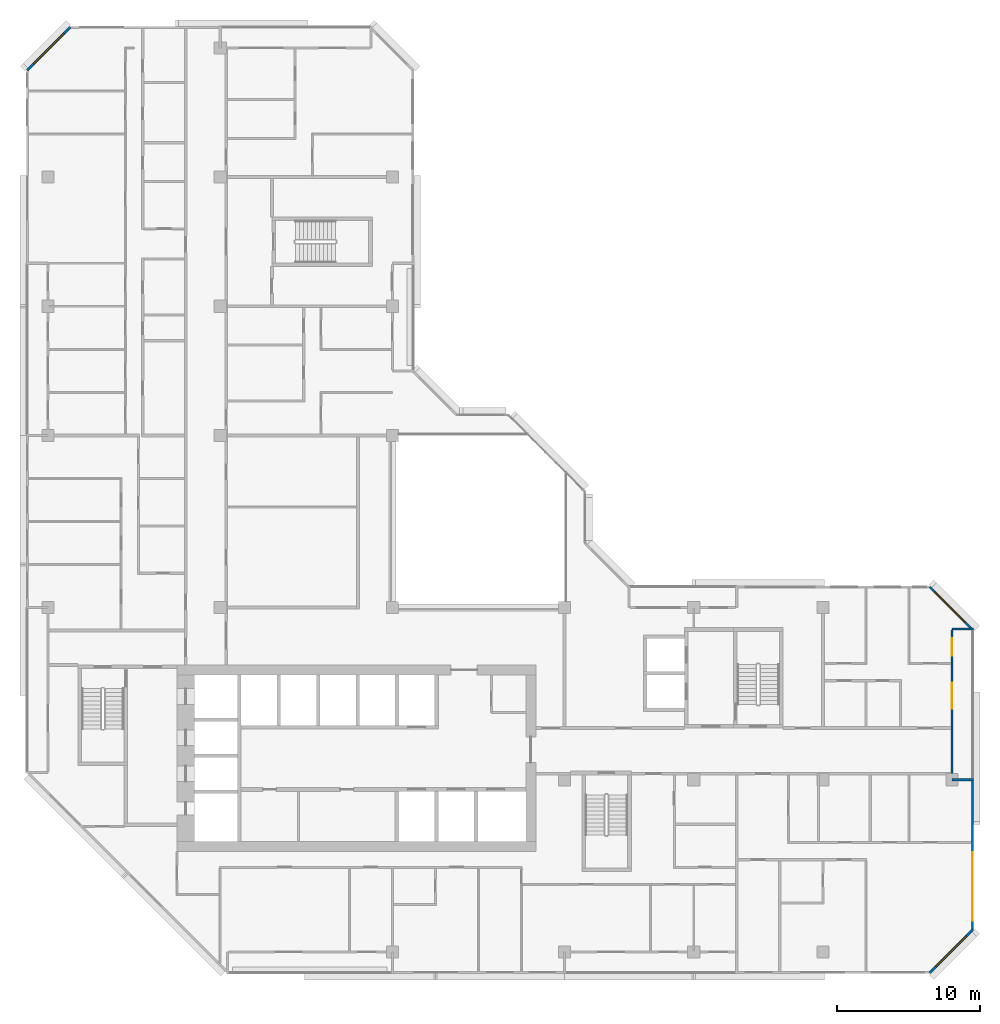
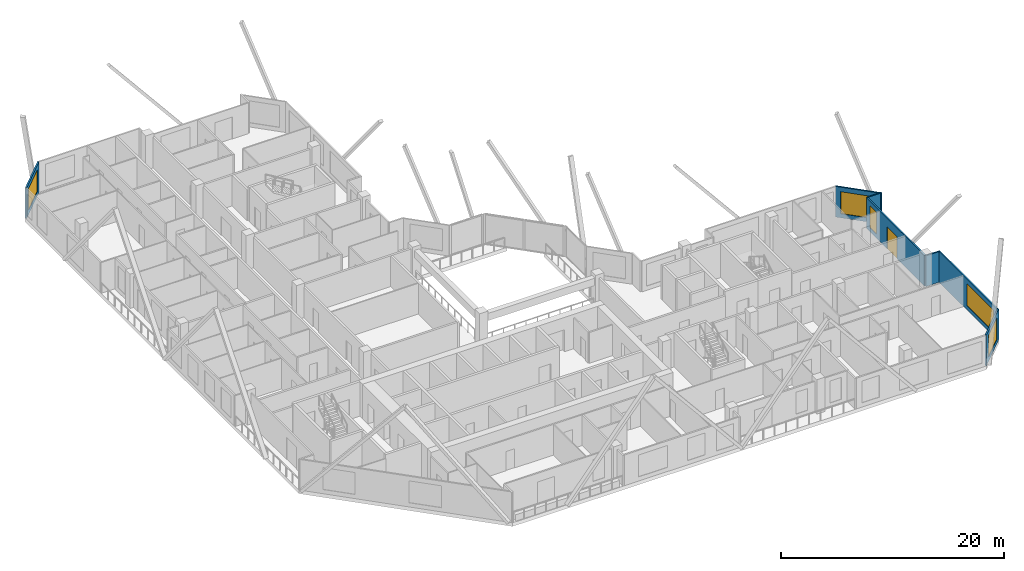
# One storey, part 12 of 15: 7 walls, 5 windows, 1 door, 6 openings.
"""IFC4 building model written with IfcOpenShell, lengths in metres."""

from ifc_helpers import new_model, si_unit, direction, frame, frame_2d, origin, place, context, subcontext, project, spatial, rectangle, extrude, material, layer, layer_set, type_object, element, fill, save


model = new_model("IFC4")

# Units and contexts
model_context = context("Model", 3, precision=1e-05, world=origin(), true_north=direction((0.0, 1.0)))
body_context = subcontext(model_context, "Body", "Model", "MODEL_VIEW")
ifc_project = project(units=[si_unit("LENGTHUNIT", "METRE"), si_unit("AREAUNIT", "SQUARE_METRE"), si_unit("VOLUMEUNIT", "CUBIC_METRE"), si_unit("PLANEANGLEUNIT", "RADIAN"), si_unit("MASSUNIT", "GRAM", prefix="KILO")], contexts=[model_context])

# Site, building, storey
site_placement = place(None, origin())
site = spatial("IfcSite", under=ifc_project, at=site_placement, CompositionType="ELEMENT")
building_placement = place(site_placement, origin())
building = spatial("IfcBuilding", under=site, at=building_placement, Name="Chenar Terraces", CompositionType="ELEMENT")
storey_placement = place(building_placement, frame((0.0, 0.0, 245.39990234375)))
storey = spatial("IfcBuildingStorey", under=building, at=storey_placement, Name="L58", CompositionType="ELEMENT", Elevation=245.39990234375)

# Wall, opening, window
ifc_material_1 = material(Name="Aluminium framed glazing", Category="aluminium")
ifc_layer_1 = layer(ifc_material_1, 0.14990234375)
ifc_layer_set_1 = layer_set([ifc_layer_1], Name="Aluminium framed glazing")
wall_type_1 = type_object("IfcWallType", Name="Glazed flush facade wall 150", PredefinedType="SOLIDWALL", material=ifc_layer_set_1)
wall_1_placement = place(storey_placement, frame((64.425048828125, 1.5, 0.0), z_axis=(0.0, 0.0, 1.0), x_axis=(0.0, 1.0, 0.0)))
wall_1 = element("IfcWall", 1, at=wall_1_placement, inside=storey, type_object=wall_type_1, Name="Glazed flush facade wall", PredefinedType="SOLIDWALL", context=body_context, shape_type="SweptSolid", body=[
    extrude(rectangle(XDim=10.425048828125, YDim=0.14990234375, at=frame_2d((5.21240234375, 0.0))), origin(), (0.0, 0.0, 1.0), 3.35009765625),
])
opening_1_placement = place(wall_1_placement, frame((0.66259765625, 0.0, 0.449951171875)))
opening_1 = element("IfcOpeningElement", 2, at=opening_1_placement, cuts=wall_1, Name="Opening W480x240", PredefinedType="OPENING", context=body_context, shape_type="SweptSolid", body=[
    extrude(rectangle(XDim=4.800048828125, YDim=2.39990234375, at=frame_2d((2.39990234375, 1.199951171875))), frame((0.0, 0.0849609375, 0.0), z_axis=(0.0, -1.0, 0.0), x_axis=(1.0, 0.0, 0.0)), (0.0, 0.0, 1.0), 0.169921875),
])
ifc_material_2 = material(Name="Low emissivity double glazing, aluminium frame", Category="aluminium")
window_type_1 = type_object("IfcWindowType", Name="Fixed light 4800 x 2400", PartitioningType="SINGLE_PANEL", PredefinedType="WINDOW", material=ifc_material_2)
window_1_placement = place(opening_1_placement, origin())
window_1 = element("IfcWindow", 3, at=window_1_placement, inside=storey, type_object=window_type_1, Name="Window", OverallHeight=2.39990234375, OverallWidth=4.800048828125, PartitioningType="SINGLE_PANEL", PredefinedType="WINDOW", context=body_context, shape_type="SweptSolid", body=[
    extrude(rectangle(XDim=4.800048828125, YDim=2.39990234375, at=frame_2d((2.39990234375, 1.199951171875))), frame((0.0, 0.030029296875, 0.0), z_axis=(0.0, -1.0, 0.0), x_axis=(1.0, 0.0, 0.0)), (0.0, 0.0, 1.0), 0.06005859375),
])
fill(opening_1, window_1)

# Wall, openings, window, door
ifc_material_3 = material(Name="Aluminium framed glazing", Category="aluminium")
ifc_layer_2 = layer(ifc_material_3, 0.14990234375)
ifc_layer_set_2 = layer_set([ifc_layer_2], Name="Aluminium framed glazing")
wall_type_2 = type_object("IfcWallType", Name="Glazed loggia back wall 150", PredefinedType="SOLIDWALL", material=ifc_layer_set_2)
wall_2_placement = place(storey_placement, frame((63.0, 12.074951171875, 0.0), z_axis=(0.0, 0.0, 1.0), x_axis=(0.0, 1.0, 0.0)))
wall_2 = element("IfcWall", 4, at=wall_2_placement, inside=storey, type_object=wall_type_2, Name="Glazed loggia back wall", PredefinedType="SOLIDWALL", context=body_context, shape_type="SweptSolid", body=[
    extrude(rectangle(XDim=10.35009765625, YDim=0.14990234375, at=frame_2d((5.175048828125, 0.0))), origin(), (0.0, 0.0, 1.0), 3.35009765625),
])
opening_2_placement = place(wall_2_placement, frame((4.875, 0.0, 0.0)))
opening_2 = element("IfcOpeningElement", 5, at=opening_2_placement, cuts=wall_2, Name="Opening DL58-G7", PredefinedType="OPENING", context=body_context, shape_type="SweptSolid", body=[
    extrude(rectangle(XDim=1.800048828125, YDim=2.39990234375, at=frame_2d((0.89990234375, 1.199951171875))), frame((0.0, 0.0849609375, 0.0), z_axis=(0.0, -1.0, 0.0), x_axis=(1.0, 0.0, 0.0)), (0.0, 0.0, 1.0), 0.169921875),
])
opening_3_placement = place(wall_2_placement, frame((8.58740234375, 0.0, 0.449951171875)))
opening_3 = element("IfcOpeningElement", 6, at=opening_3_placement, cuts=wall_2, Name="Opening W120x240", PredefinedType="OPENING", context=body_context, shape_type="SweptSolid", body=[
    extrude(rectangle(XDim=1.199951171875, YDim=2.39990234375, at=frame_2d((0.60009765625, 1.199951171875))), frame((0.0, 0.0849609375, 0.0), z_axis=(0.0, -1.0, 0.0), x_axis=(1.0, 0.0, 0.0)), (0.0, 0.0, 1.0), 0.169921875),
])
ifc_material_4 = material(Name="Low emissivity double glazing, aluminium frame", Category="aluminium")
window_type_2 = type_object("IfcWindowType", Name="Fixed light 1200 x 2400", PartitioningType="SINGLE_PANEL", PredefinedType="WINDOW", material=ifc_material_4)
window_2_placement = place(opening_3_placement, origin())
window_2 = element("IfcWindow", 7, at=window_2_placement, inside=storey, type_object=window_type_2, Name="Window", OverallHeight=2.39990234375, OverallWidth=1.199951171875, PartitioningType="SINGLE_PANEL", PredefinedType="WINDOW", context=body_context, shape_type="SweptSolid", body=[
    extrude(rectangle(XDim=1.199951171875, YDim=2.39990234375, at=frame_2d((0.60009765625, 1.199951171875))), frame((0.0, 0.030029296875, 0.0), z_axis=(0.0, -1.0, 0.0), x_axis=(1.0, 0.0, 0.0)), (0.0, 0.0, 1.0), 0.06005859375),
])
fill(opening_3, window_2)
ifc_material_5 = material(Name="Low emissivity double glazing, aluminium frame", Category="aluminium")
door_type = type_object("IfcDoorType", Name="Loggia glazed double door 1800 x 2400", OperationType="DOUBLE_DOOR_SINGLE_SWING", PredefinedType="DOOR", material=ifc_material_5)
door_placement = place(opening_2_placement, frame((1.800048828125, 0.0, 0.0), z_axis=(0.0, 0.0, 1.0), x_axis=(-1.0, 0.0, 0.0)))
door = element("IfcDoor", 8, at=door_placement, inside=storey, type_object=door_type, Name="Loggia glazed door", OperationType="DOUBLE_DOOR_SINGLE_SWING", OverallHeight=2.39990234375, OverallWidth=1.800048828125, PredefinedType="DOOR", context=body_context, shape_type="SweptSolid", body=[
    extrude(rectangle(XDim=1.800048828125, YDim=2.39990234375, at=frame_2d((0.89990234375, 1.199951171875))), frame((0.0, 0.02490234375, 0.0), z_axis=(0.0, -1.0, 0.0), x_axis=(1.0, 0.0, 0.0)), (0.0, 0.0, 1.0), 0.050048828125),
])
fill(opening_2, door)

# Walls
ifc_material_6 = material(Name="Terracotta cladding on insulated backing", Category="masonry")
ifc_layer_3 = layer(ifc_material_6, 0.14990234375)
ifc_layer_set_3 = layer_set([ifc_layer_3], Name="Terracotta cladding on insulated backing")
wall_type_3 = type_object("IfcWallType", Name="Loggia return wall 150", PredefinedType="SOLIDWALL", material=ifc_layer_set_3)
for number, where, z_axis, x_axis, name in (
    (9, (64.5, 12.0, 0.0), (0.0, 0.0, 1.0), (-1.0, 0.0, 0.0), "Loggia return wall"),
    (10, (64.5, 22.5, 0.0), (0.0, 0.0, 1.0), (-1.0, 0.0, 0.0), "Loggia return wall"),
):
    element("IfcWall", number, at=place(storey_placement, frame(where, z_axis=z_axis, x_axis=x_axis)), inside=storey, type_object=wall_type_3, Name=name, PredefinedType="SOLIDWALL", context=body_context, shape_type="SweptSolid", body=[
        extrude(rectangle(XDim=1.5, YDim=0.14990234375, at=frame_2d((0.75, 0.0))), origin(), (0.0, 0.0, 1.0), 3.35009765625),
    ])

# Wall, opening, window
ifc_material_7 = material(Name="Terracotta cladding on insulated backing", Category="masonry")
ifc_layer_4 = layer(ifc_material_7, 0.14990234375)
ifc_layer_set_4 = layer_set([ifc_layer_4], Name="Terracotta cladding on insulated backing")
wall_type_4 = type_object("IfcWallType", Name="Terracotta rainscreen wall 150", PredefinedType="SOLIDWALL", material=ifc_layer_set_4)
wall_3_placement = place(storey_placement, frame((1.552978515625, 64.447021484375, 0.0), z_axis=(0.0, 0.0, 1.0), x_axis=(-0.707106781187, -0.707106781187, 0.0)))
wall_3 = element("IfcWall", 11, at=wall_3_placement, inside=storey, type_object=wall_type_4, Name="Terracotta rainscreen wall", PredefinedType="SOLIDWALL", context=body_context, shape_type="SweptSolid", body=[
    extrude(rectangle(XDim=4.24267578125, YDim=0.14990234375, at=frame_2d((2.121337890625, 0.0))), origin(), (0.0, 0.0, 1.0), 3.35009765625),
])
opening_4_placement = place(wall_3_placement, frame((0.621337890625, 0.0, 0.449951171875)))
opening_4 = element("IfcOpeningElement", 12, at=opening_4_placement, cuts=wall_3, Name="Opening W300x240", PredefinedType="OPENING", context=body_context, shape_type="SweptSolid", body=[
    extrude(rectangle(XDim=3.0, YDim=2.39990234375, at=frame_2d((1.5, 1.199951171875))), frame((0.0, 0.0849609375, 0.0), z_axis=(0.0, -1.0, 0.0), x_axis=(1.0, 0.0, 0.0)), (0.0, 0.0, 1.0), 0.169921875),
])
ifc_material_8 = material(Name="Low emissivity double glazing, aluminium frame", Category="aluminium")
window_type_3 = type_object("IfcWindowType", Name="Fixed light 3000 x 2400", PartitioningType="SINGLE_PANEL", PredefinedType="WINDOW", material=ifc_material_8)
window_3_placement = place(opening_4_placement, origin())
window_3 = element("IfcWindow", 13, at=window_3_placement, inside=storey, type_object=window_type_3, Name="Window", OverallHeight=2.39990234375, OverallWidth=3.0, PartitioningType="SINGLE_PANEL", PredefinedType="WINDOW", context=body_context, shape_type="SweptSolid", body=[
    extrude(rectangle(XDim=3.0, YDim=2.39990234375, at=frame_2d((1.5, 1.199951171875))), frame((0.0, 0.030029296875, 0.0), z_axis=(0.0, -1.0, 0.0), x_axis=(1.0, 0.0, 0.0)), (0.0, 0.0, 1.0), 0.06005859375),
])
fill(opening_4, window_3)

wall_4_placement = place(storey_placement, frame((61.447021484375, -1.447021484375, 0.0), z_axis=(0.0, 0.0, 1.0), x_axis=(0.707106781187, 0.707106781187, 0.0)))
wall_4 = element("IfcWall", 14, at=wall_4_placement, inside=storey, type_object=wall_type_4, Name="Terracotta rainscreen wall", PredefinedType="SOLIDWALL", context=body_context, shape_type="SweptSolid", body=[
    extrude(rectangle(XDim=4.24267578125, YDim=0.14990234375, at=frame_2d((2.121337890625, 0.0))), origin(), (0.0, 0.0, 1.0), 3.35009765625),
])
opening_5_placement = place(wall_4_placement, frame((0.621337890625, 0.0, 0.449951171875)))
opening_5 = element("IfcOpeningElement", 15, at=opening_5_placement, cuts=wall_4, Name="Opening W300x240", PredefinedType="OPENING", context=body_context, shape_type="SweptSolid", body=[
    extrude(rectangle(XDim=3.0, YDim=2.39990234375, at=frame_2d((1.5, 1.199951171875))), frame((0.0, 0.0849609375, 0.0), z_axis=(0.0, -1.0, 0.0), x_axis=(1.0, 0.0, 0.0)), (0.0, 0.0, 1.0), 0.169921875),
])
window_4_placement = place(opening_5_placement, origin())
window_4 = element("IfcWindow", 16, at=window_4_placement, inside=storey, type_object=window_type_3, Name="Window", OverallHeight=2.39990234375, OverallWidth=3.0, PartitioningType="SINGLE_PANEL", PredefinedType="WINDOW", context=body_context, shape_type="SweptSolid", body=[
    extrude(rectangle(XDim=3.0, YDim=2.39990234375, at=frame_2d((1.5, 1.199951171875))), frame((0.0, 0.030029296875, 0.0), z_axis=(0.0, -1.0, 0.0), x_axis=(1.0, 0.0, 0.0)), (0.0, 0.0, 1.0), 0.06005859375),
])
fill(opening_5, window_4)

wall_5_placement = place(storey_placement, frame((64.447021484375, 22.447021484375, 0.0), z_axis=(0.0, 0.0, 1.0), x_axis=(-0.707106781187, 0.707106781187, 0.0)))
wall_5 = element("IfcWall", 17, at=wall_5_placement, inside=storey, type_object=wall_type_4, Name="Terracotta rainscreen wall", PredefinedType="SOLIDWALL", context=body_context, shape_type="SweptSolid", body=[
    extrude(rectangle(XDim=4.24267578125, YDim=0.14990234375, at=frame_2d((2.121337890625, 0.0))), origin(), (0.0, 0.0, 1.0), 3.35009765625),
])
opening_6_placement = place(wall_5_placement, frame((0.744384765625, 0.0, 0.449951171875)))
opening_6 = element("IfcOpeningElement", 18, at=opening_6_placement, cuts=wall_5, Name="Opening W300x240", PredefinedType="OPENING", context=body_context, shape_type="SweptSolid", body=[
    extrude(rectangle(XDim=3.0, YDim=2.39990234375, at=frame_2d((1.5, 1.199951171875))), frame((0.0, 0.0849609375, 0.0), z_axis=(0.0, -1.0, 0.0), x_axis=(1.0, 0.0, 0.0)), (0.0, 0.0, 1.0), 0.169921875),
])
window_5_placement = place(opening_6_placement, origin())
window_5 = element("IfcWindow", 19, at=window_5_placement, inside=storey, type_object=window_type_3, Name="Window", OverallHeight=2.39990234375, OverallWidth=3.0, PartitioningType="SINGLE_PANEL", PredefinedType="WINDOW", context=body_context, shape_type="SweptSolid", body=[
    extrude(rectangle(XDim=3.0, YDim=2.39990234375, at=frame_2d((1.5, 1.199951171875))), frame((0.0, 0.030029296875, 0.0), z_axis=(0.0, -1.0, 0.0), x_axis=(1.0, 0.0, 0.0)), (0.0, 0.0, 1.0), 0.06005859375),
])
fill(opening_6, window_5)

save(model, "model.ifc")
